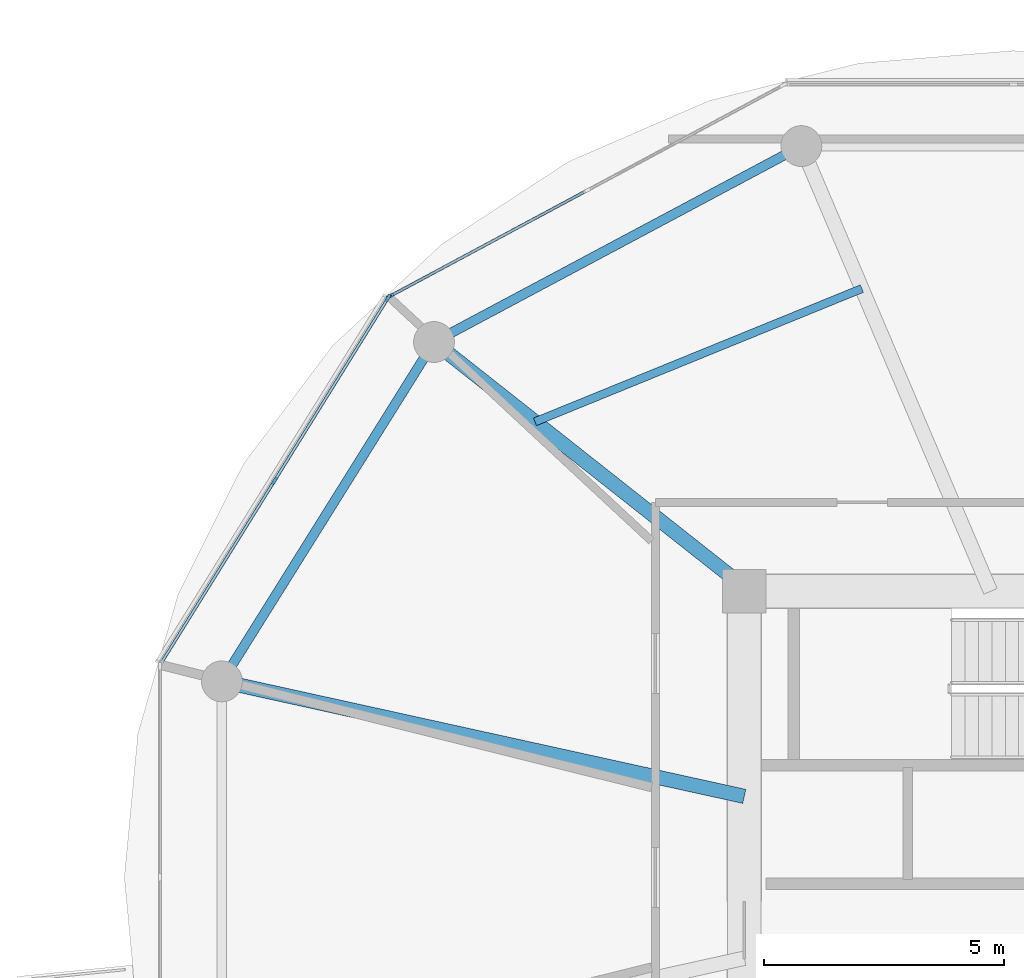
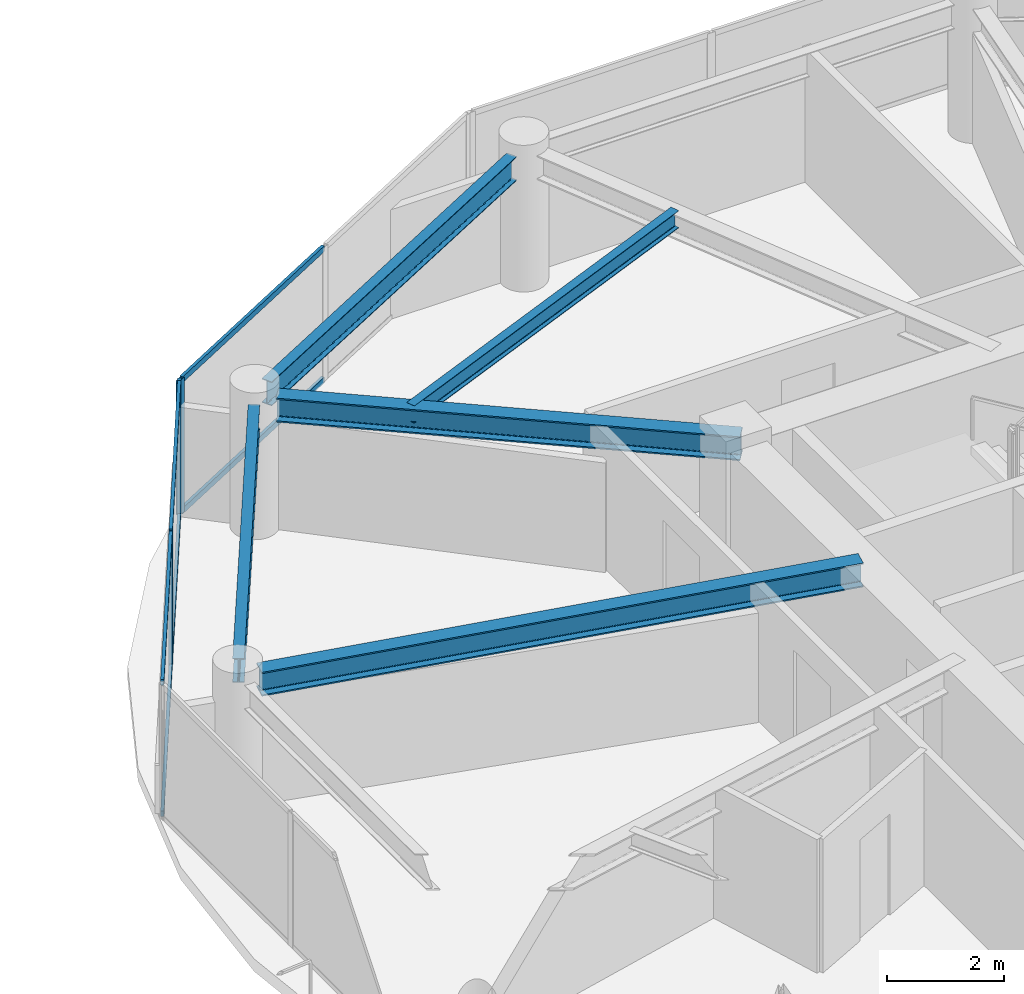
# One storey, part 8 of 23: 9 members, 5 beams, 2 elements without a shape of their own.
"""IFC4 building model written with IfcOpenShell, lengths in metres."""

from ifc_helpers import new_model, si_unit, direction, frame, origin, origin_2d, place, context, subcontext, project, spatial, rectangle, i_section, extrude, source, transform, mapped, material, layer, layer_set, material_profile, profile_set, type_object, type_shapes, element, aggregate, save


model = new_model("IFC4")

# Units and contexts
model_context = context("Model", 3, precision=1e-05, world=origin(), true_north=direction((0.0, 1.0)))
body_context = subcontext(model_context, "Body", "Model", "MODEL_VIEW")
ifc_project = project(units=[si_unit("LENGTHUNIT", "METRE"), si_unit("AREAUNIT", "SQUARE_METRE"), si_unit("VOLUMEUNIT", "CUBIC_METRE"), si_unit("PLANEANGLEUNIT", "RADIAN"), si_unit("MASSUNIT", "GRAM", prefix="KILO")], contexts=[model_context])

# Site, building, storey
site_placement = place(None, origin())
site = spatial("IfcSite", under=ifc_project, at=site_placement, CompositionType="ELEMENT")
building_placement = place(site_placement, origin())
building = spatial("IfcBuilding", under=site, at=building_placement, Name="Norrkilde Senior Care Towers", CompositionType="ELEMENT")
storey_placement = place(building_placement, frame((0.0, 0.0, 81.0)))
storey = spatial("IfcBuildingStorey", under=building, at=storey_placement, Name="L24", CompositionType="ELEMENT", Elevation=81.0)

# Beams
ifc_material_1 = material(Name="Steel S355", Category="steel")
ifc_material_profile_1 = material_profile(ifc_material_1, i_section(OverallWidth=0.199951171875, OverallDepth=0.5, WebThickness=0.01025390625, FlangeThickness=0.01611328125, FilletRadius=0.02099609375, at=origin_2d()), Name="IPE 500")
ifc_profile_set_1 = profile_set([ifc_material_profile_1], Name="Steel S355")
beam_type_1 = type_object("IfcBeamType", Name="Perimeter Ring Spandrel Z2 IPE500", PredefinedType="SPANDREL", material=ifc_profile_set_1)
shared_shape_1 = source(origin(), body_context, "Body", "SweptSolid", [
    extrude(i_section(OverallWidth=0.199951171875, OverallDepth=0.5, WebThickness=0.01025390625, FlangeThickness=0.01611328125, FilletRadius=0.02099609375, at=origin_2d()), origin(), (0.0, 0.0, 1.0), 7.55615234375),
])
beam_1_placement = place(storey_placement, frame((13.689697265625, 10.810546875, 2.5400390625), z_axis=(-0.529981514254, -0.848009194849, 0.0), x_axis=(0.848009194849, -0.529981514254, 0.0)))
element("IfcBeam", 1, at=beam_1_placement, inside=storey, type_object=beam_type_1, Name="L24 Drum E Perimeter Spandrel 05", PredefinedType="SPANDREL", context=body_context, shape_type="MappedRepresentation", body=[
    mapped(shared_shape_1, transform((0.0, 0.0, 0.0), x_axis=(1.0, 0.0, 0.0), y_axis=(0.0, 1.0, 0.0), z_axis=(0.0, 0.0, 1.0), scale=1.0)),
])
ifc_material_profile_2 = material_profile(ifc_material_1, i_section(OverallWidth=0.300048828125, OverallDepth=0.5, WebThickness=0.014404296875, FlangeThickness=0.028076171875, FilletRadius=0.027099609375, at=origin_2d()), Name="HEB 500")
ifc_profile_set_2 = profile_set([ifc_material_profile_2], Name="Steel S355")
beam_type_2 = type_object("IfcBeamType", Name="Radial Floor Beam Z2 HEB500", PredefinedType="BEAM", material=ifc_profile_set_2)
shared_shape_2 = source(origin(), body_context, "Body", "SweptSolid", [
    extrude(i_section(OverallWidth=0.300048828125, OverallDepth=0.5, WebThickness=0.014404296875, FlangeThickness=0.028076171875, FilletRadius=0.027099609375, at=origin_2d()), origin(), (0.0, 0.0, 1.0), 10.744384765625),
])
beam_2_placement = place(storey_placement, frame((20.35009765625, 1.683837890625, 2.5400390625), z_axis=(-0.976618711422, 0.214978818724, 0.0), x_axis=(-0.214978818724, -0.976618711422, 0.0)))
element("IfcBeam", 2, at=beam_2_placement, inside=storey, type_object=beam_type_2, Name="L24 Drum E Radial Floor Beam 06", PredefinedType="BEAM", context=body_context, shape_type="MappedRepresentation", body=[
    mapped(shared_shape_2, transform((0.0, 0.0, 0.0), x_axis=(1.0, 0.0, 0.0), y_axis=(0.0, 1.0, 0.0), z_axis=(0.0, 0.0, 1.0), scale=1.0)),
])
shared_shape_3 = source(origin(), body_context, "Body", "SweptSolid", [
    extrude(i_section(OverallWidth=0.199951171875, OverallDepth=0.5, WebThickness=0.01025390625, FlangeThickness=0.01611328125, FilletRadius=0.02099609375, at=origin_2d()), origin(), (0.0, 0.0, 1.0), 7.892333984375),
])
type_shapes(beam_type_1, [shared_shape_1, shared_shape_3])
beam_3_placement = place(storey_placement, frame((21.197509765625, 15.0322265625, 2.5400390625), z_axis=(-0.882350372282, -0.47059305194, 0.0), x_axis=(0.47059305194, -0.882350372282, 0.0)))
element("IfcBeam", 3, at=beam_3_placement, inside=storey, type_object=beam_type_1, Name="L24 Drum E Perimeter Spandrel 04", PredefinedType="SPANDREL", context=body_context, shape_type="MappedRepresentation", body=[
    mapped(shared_shape_3, transform((0.0, 0.0, 0.0), x_axis=(1.0, 0.0, 0.0), y_axis=(0.0, 1.0, 0.0), z_axis=(0.0, 0.0, 1.0), scale=1.0)),
])
shared_shape_4 = source(origin(), body_context, "Body", "SweptSolid", [
    extrude(i_section(OverallWidth=0.300048828125, OverallDepth=0.5, WebThickness=0.014404296875, FlangeThickness=0.028076171875, FilletRadius=0.027099609375, at=origin_2d()), origin(), (0.0, 0.0, 1.0), 7.985595703125),
])
type_shapes(beam_type_2, [shared_shape_2, shared_shape_4])
beam_4_placement = place(storey_placement, frame((20.463623046875, 5.949951171875, 2.5400390625), z_axis=(-0.784858505144, 0.619675017169, 0.0), x_axis=(-0.619675017169, -0.784858505144, 0.0)))
element("IfcBeam", 4, at=beam_4_placement, inside=storey, type_object=beam_type_2, Name="L24 Drum E Radial Floor Beam 05", PredefinedType="BEAM", context=body_context, shape_type="MappedRepresentation", body=[
    mapped(shared_shape_4, transform((0.0, 0.0, 0.0), x_axis=(1.0, 0.0, 0.0), y_axis=(0.0, 1.0, 0.0), z_axis=(0.0, 0.0, 1.0), scale=1.0)),
])
ifc_material_profile_3 = material_profile(ifc_material_1, i_section(OverallWidth=0.169921875, OverallDepth=0.360107421875, WebThickness=0.008056640625, FlangeThickness=0.0126953125, FilletRadius=0.01806640625, at=origin_2d()), Name="IPE 360")
ifc_profile_set_3 = profile_set([ifc_material_profile_3], Name="Steel S355")
beam_type_3 = type_object("IfcBeamType", Name="Secondary Floor Joist IPE360", PredefinedType="JOIST", material=ifc_profile_set_3)
shared_shape_5 = source(origin(), body_context, "Body", "SweptSolid", [
    extrude(i_section(OverallWidth=0.169921875, OverallDepth=0.360107421875, WebThickness=0.008056640625, FlangeThickness=0.0126953125, FilletRadius=0.01806640625, at=origin_2d()), origin(), (0.0, 0.0, 1.0), 7.343505859375),
])
type_shapes(beam_type_3, [shared_shape_5])
beam_5_placement = place(storey_placement, frame((22.79638671875, 12.2490234375, 2.610107421875), z_axis=(-0.926021784767, -0.377470070519, 0.0), x_axis=(0.377470070519, -0.926021784767, 0.0)))
element("IfcBeam", 5, at=beam_5_placement, inside=storey, type_object=beam_type_3, Name="L24 Drum E Secondary Floor Joist 2", PredefinedType="JOIST", context=body_context, shape_type="MappedRepresentation", body=[
    mapped(shared_shape_5, transform((0.0, 0.0, 0.0), x_axis=(1.0, 0.0, 0.0), y_axis=(0.0, 1.0, 0.0), z_axis=(0.0, 0.0, 1.0), scale=1.0)),
])

# Curtain wall, member
ifc_material_2 = material(Name="Triple Low-E Insulated Glazing", Category="glass")
ifc_layer = layer(ifc_material_2, 0.195068359375)
ifc_layer_set = layer_set([ifc_layer], Name="Triple Low-E Insulated Glazing")
curtain_wall_type = type_object("IfcCurtainWallType", Name="CW3 Zone 2 Assisted Living Curtain Wall", PredefinedType="NOTDEFINED", material=ifc_layer_set)
curtain_wall_1_placement = place(storey_placement, origin())
curtain_wall_1 = element("IfcCurtainWall", 6, at=curtain_wall_1_placement, inside=storey, type_object=curtain_wall_type, Name="L24 Drum E Curtain Wall 03", PredefinedType="NOTDEFINED")
ifc_material_3 = material(Name="Anodised Aluminium", Category="aluminium")
ifc_material_profile_4 = material_profile(ifc_material_3, rectangle(XDim=0.06494140625, YDim=0.159912109375, at=origin_2d()), Name="ALU MULL 65x160")
ifc_profile_set_4 = profile_set([ifc_material_profile_4], Name="Anodised Aluminium")
member_type_1 = type_object("IfcMemberType", Name="Curtain Wall Mullion Z1-Z2 65x160", PredefinedType="MULLION", material=ifc_profile_set_4)
shared_shape_6 = source(origin(), body_context, "Body", "SweptSolid", [
    extrude(rectangle(XDim=0.06494140625, YDim=0.159912109375, at=origin_2d()), origin(), (0.0, 0.0, 1.0), 2.7900390625),
])
type_shapes(member_type_1, [shared_shape_6])
member_1_placement = place(storey_placement, frame((12.98193359375, 12.0927734375, 0.0), z_axis=(0.0, 0.0, 1.0), x_axis=(-0.472769402511, 0.881186184668, 0.0)))
member_1 = element("IfcMember", 7, at=member_1_placement, type_object=member_type_1, Name="CW-3 mullion 1", PredefinedType="MULLION", context=body_context, shape_type="MappedRepresentation", body=[
    mapped(shared_shape_6, transform((0.0, 0.0, 0.0), x_axis=(1.0, 0.0, 0.0), y_axis=(0.0, 1.0, 0.0), z_axis=(0.0, 0.0, 1.0), scale=1.0)),
])

# Curtain wall, members
curtain_wall_2_placement = place(storey_placement, origin())
curtain_wall_2 = element("IfcCurtainWall", 8, at=curtain_wall_2_placement, inside=storey, type_object=curtain_wall_type, Name="L24 Drum E Curtain Wall 04", PredefinedType="NOTDEFINED")
member_2_placement = place(storey_placement, frame((10.574951171875, 8.2490234375, 0.0), z_axis=(0.0, 0.0, 1.0), x_axis=(-0.849410171862, 0.527733228002, 0.0)))
member_2 = element("IfcMember", 9, at=member_2_placement, type_object=member_type_1, Name="CW-3 mullion 2", PredefinedType="MULLION", context=body_context, shape_type="MappedRepresentation", body=[
    mapped(shared_shape_6, transform((0.0, 0.0, 0.0), x_axis=(1.0, 0.0, 0.0), y_axis=(0.0, 1.0, 0.0), z_axis=(0.0, 0.0, 1.0), scale=1.0)),
])
member_3_placement = place(storey_placement, frame((12.936279296875, 12.0498046875, 0.0), z_axis=(0.0, 0.0, 1.0), x_axis=(-0.849410171862, 0.527733228002, 0.0)))
member_3 = element("IfcMember", 10, at=member_3_placement, type_object=member_type_1, Name="CW-3 mullion 3", PredefinedType="MULLION", context=body_context, shape_type="MappedRepresentation", body=[
    mapped(shared_shape_6, transform((0.0, 0.0, 0.0), x_axis=(1.0, 0.0, 0.0), y_axis=(0.0, 1.0, 0.0), z_axis=(0.0, 0.0, 1.0), scale=1.0)),
])
ifc_material_profile_5 = material_profile(ifc_material_3, rectangle(XDim=0.06005859375, YDim=0.1201171875, at=origin_2d()), Name="ALU TRAN 60x120")
ifc_profile_set_5 = profile_set([ifc_material_profile_5], Name="Anodised Aluminium")
member_type_2 = type_object("IfcMemberType", Name="Curtain Wall Transom Typical 60x120", PredefinedType="USERDEFINED", material=ifc_profile_set_5)
shared_shape_7 = source(origin(), body_context, "Body", "SweptSolid", [
    extrude(rectangle(XDim=0.06005859375, YDim=0.1201171875, at=origin_2d()), origin(), (0.0, 0.0, 1.0), 4.40966796875),
])
member_4_placement = place(storey_placement, frame((8.23046875, 4.475830078125, 0.030029296875), z_axis=(0.527737675578, 0.849407408594, 0.0), x_axis=(-0.849407408594, 0.527737675578, 0.0)))
member_4 = element("IfcMember", 11, at=member_4_placement, type_object=member_type_2, Name="CW-3 transom 1.1", ObjectType="TRANSOM", PredefinedType="USERDEFINED", context=body_context, shape_type="MappedRepresentation", body=[
    mapped(shared_shape_7, transform((0.0, 0.0, 0.0), x_axis=(1.0, 0.0, 0.0), y_axis=(0.0, 1.0, 0.0), z_axis=(0.0, 0.0, 1.0), scale=1.0)),
])
member_5_placement = place(storey_placement, frame((8.23046875, 4.475830078125, 2.760009765625), z_axis=(0.527737675578, 0.849407408594, 0.0), x_axis=(-0.849407408594, 0.527737675578, 0.0)))
member_5 = element("IfcMember", 12, at=member_5_placement, type_object=member_type_2, Name="CW-3 transom 1.2", ObjectType="TRANSOM", PredefinedType="USERDEFINED", context=body_context, shape_type="MappedRepresentation", body=[
    mapped(shared_shape_7, transform((0.0, 0.0, 0.0), x_axis=(1.0, 0.0, 0.0), y_axis=(0.0, 1.0, 0.0), z_axis=(0.0, 0.0, 1.0), scale=1.0)),
])
member_6_placement = place(storey_placement, frame((10.592041015625, 8.276611328125, 0.030029296875), z_axis=(0.527737675578, 0.849407408594, 0.0), x_axis=(-0.849407408594, 0.527737675578, 0.0)))
member_6 = element("IfcMember", 13, at=member_6_placement, type_object=member_type_2, Name="CW-3 transom 2.1", ObjectType="TRANSOM", PredefinedType="USERDEFINED", context=body_context, shape_type="MappedRepresentation", body=[
    mapped(shared_shape_7, transform((0.0, 0.0, 0.0), x_axis=(1.0, 0.0, 0.0), y_axis=(0.0, 1.0, 0.0), z_axis=(0.0, 0.0, 1.0), scale=1.0)),
])
member_7_placement = place(storey_placement, frame((10.592041015625, 8.276611328125, 2.760009765625), z_axis=(0.527737675578, 0.849407408594, 0.0), x_axis=(-0.849407408594, 0.527737675578, 0.0)))
member_7 = element("IfcMember", 14, at=member_7_placement, type_object=member_type_2, Name="CW-3 transom 2.2", ObjectType="TRANSOM", PredefinedType="USERDEFINED", context=body_context, shape_type="MappedRepresentation", body=[
    mapped(shared_shape_7, transform((0.0, 0.0, 0.0), x_axis=(1.0, 0.0, 0.0), y_axis=(0.0, 1.0, 0.0), z_axis=(0.0, 0.0, 1.0), scale=1.0)),
])
aggregate(curtain_wall_2, [member_2, member_3, member_4, member_5, member_6, member_7])

# Member
shared_shape_8 = source(origin(), body_context, "Body", "SweptSolid", [
    extrude(rectangle(XDim=0.06005859375, YDim=0.1201171875, at=origin_2d()), origin(), (0.0, 0.0, 1.0), 4.57763671875),
])
type_shapes(member_type_2, [shared_shape_7, shared_shape_8])
member_8_placement = place(storey_placement, frame((13.0107421875, 12.108154296875, 0.030029296875), z_axis=(0.881192784018, 0.472757101897, 0.0), x_axis=(-0.472757101897, 0.881192784018, 0.0)))
member_8 = element("IfcMember", 15, at=member_8_placement, type_object=member_type_2, Name="CW-3 transom 1.1", ObjectType="TRANSOM", PredefinedType="USERDEFINED", context=body_context, shape_type="MappedRepresentation", body=[
    mapped(shared_shape_8, transform((0.0, 0.0, 0.0), x_axis=(1.0, 0.0, 0.0), y_axis=(0.0, 1.0, 0.0), z_axis=(0.0, 0.0, 1.0), scale=1.0)),
])

member_9_placement = place(storey_placement, frame((13.0107421875, 12.108154296875, 2.760009765625), z_axis=(0.881192784018, 0.472757101897, 0.0), x_axis=(-0.472757101897, 0.881192784018, 0.0)))
member_9 = element("IfcMember", 16, at=member_9_placement, type_object=member_type_2, Name="CW-3 transom 1.2", ObjectType="TRANSOM", PredefinedType="USERDEFINED", context=body_context, shape_type="MappedRepresentation", body=[
    mapped(shared_shape_8, transform((0.0, 0.0, 0.0), x_axis=(1.0, 0.0, 0.0), y_axis=(0.0, 1.0, 0.0), z_axis=(0.0, 0.0, 1.0), scale=1.0)),
])

aggregate(curtain_wall_1, [member_1, member_8, member_9])

save(model, "model.ifc")
